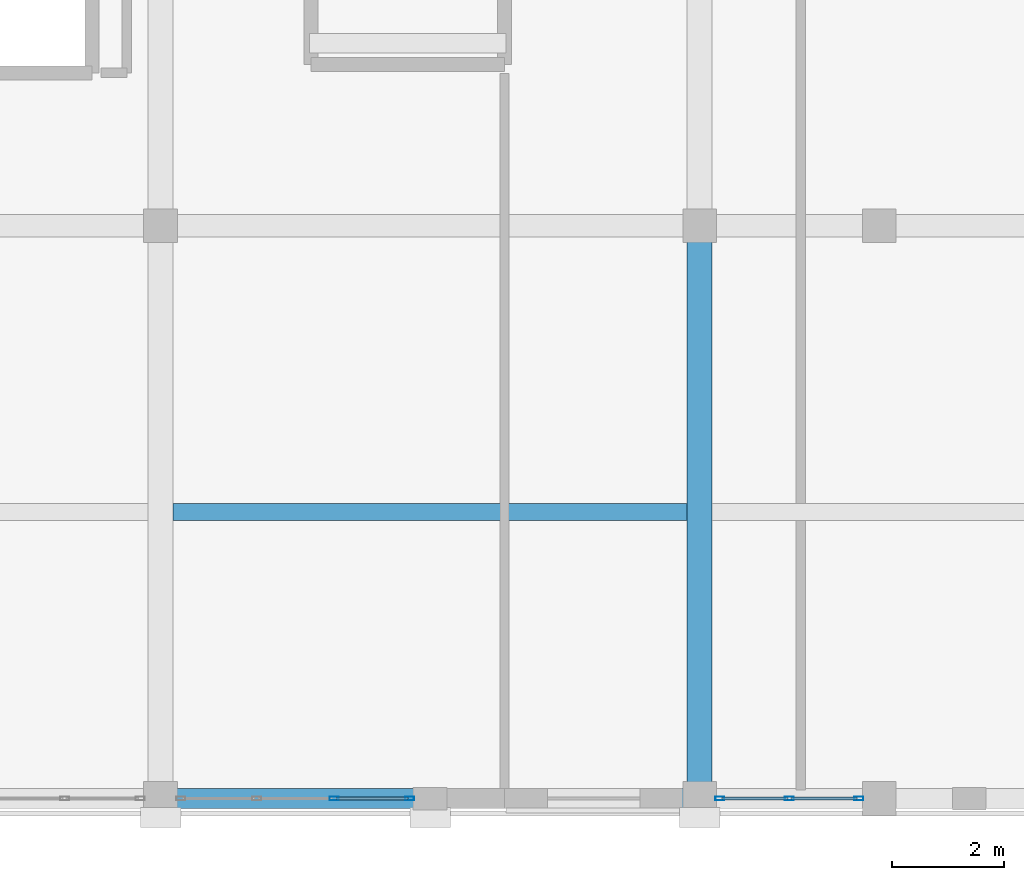
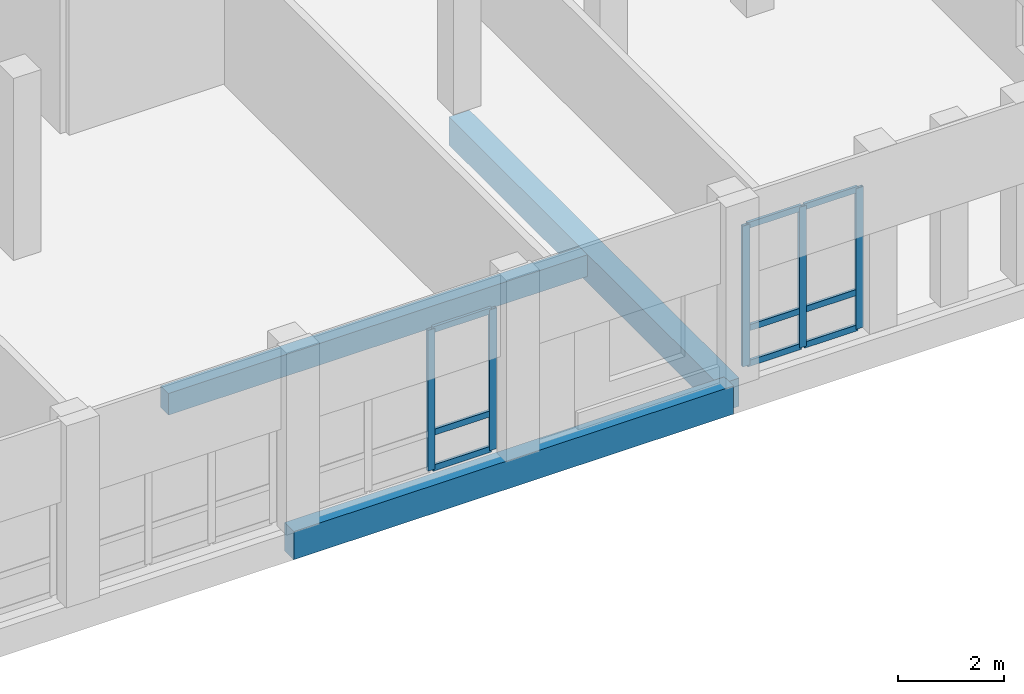
# One storey, part 14 of 93: 14 members, 3 beams, 2 elements without a shape of their own.
"""IFC4 building model written with IfcOpenShell, lengths in metres."""

from ifc_helpers import new_model, si_unit, direction, frame, origin, origin_2d, place, context, subcontext, project, spatial, rectangle, hollow_rectangle, extrude, material, material_profile, profile_set, type_object, element, aggregate, save


model = new_model("IFC4")

# Units and contexts
model_context = context("Model", 3, precision=1e-05, world=origin(), true_north=direction((0.0, 1.0)))
body_context = subcontext(model_context, "Body", "Model", "MODEL_VIEW")
ifc_project = project(units=[si_unit("LENGTHUNIT", "METRE"), si_unit("AREAUNIT", "SQUARE_METRE"), si_unit("VOLUMEUNIT", "CUBIC_METRE"), si_unit("PLANEANGLEUNIT", "RADIAN"), si_unit("MASSUNIT", "GRAM", prefix="KILO")], contexts=[model_context])

# Site, building, storey
site_placement = place(None, origin())
site = spatial("IfcSite", under=ifc_project, at=site_placement, CompositionType="ELEMENT")
building_placement = place(site_placement, origin())
building = spatial("IfcBuilding", under=site, at=building_placement, Name="Vondelvale Polytechnic", CompositionType="ELEMENT")
storey_placement = place(building_placement, frame((0.0, 0.0, 18.0)))
storey = spatial("IfcBuildingStorey", under=building, at=storey_placement, Name="L04", CompositionType="ELEMENT", Elevation=18.0)

# Beam
ifc_material_1 = material(Name="Concrete N40 (f'c = 40 MPa)", Category="concrete")
ifc_material_profile_1 = material_profile(ifc_material_1, rectangle(XDim=0.449951171875, YDim=0.64990234375, at=origin_2d()), Name="RC-BM-450x650")
ifc_profile_set_1 = profile_set([ifc_material_profile_1], Name="Concrete N40 (f'c = 40 MPa)")
beam_type_1 = type_object("IfcBeamType", Name="BM-RC450x650", PredefinedType="BEAM", material=ifc_profile_set_1)
beam_1_placement = place(storey_placement, frame((38.39990234375, 0.0, -0.574951171875), z_axis=(0.0, 1.0, 0.0), x_axis=(-1.0, 0.0, 0.0)))
element("IfcBeam", 1, at=beam_1_placement, inside=storey, type_object=beam_type_1, Name="L04 B B-04", PredefinedType="BEAM", context=body_context, shape_type="SweptSolid", body=[
    extrude(rectangle(XDim=0.449951171875, YDim=0.64990234375, at=origin_2d()), origin(), (0.0, 0.0, 1.0), 10.199951171875),
])

# Curtain wall, members
ifc_material_2 = material(Name="Anodised extruded aluminium 6063-T6", Category="aluminium")
curtain_wall_type = type_object("IfcCurtainWallType", Name="CW-LIBRARY-BAY", PredefinedType="NOTDEFINED", material=ifc_material_2)
curtain_wall_1_placement = place(storey_placement, origin())
curtain_wall_1 = element("IfcCurtainWall", 2, at=curtain_wall_1_placement, inside=storey, type_object=curtain_wall_type, Name="L04 architectural curtain wall CW-02-034", PredefinedType="NOTDEFINED")
ifc_material_profile_2 = material_profile(ifc_material_2, hollow_rectangle(XDim=0.06494140625, YDim=0.159912109375, WallThickness=0.0048828125, at=origin_2d()), Name="CW-MUL-160x65")
ifc_profile_set_2 = profile_set([ifc_material_profile_2], Name="Anodised extruded aluminium 6063-T6")
member_type_1 = type_object("IfcMemberType", Name="CW-MUL-65x160", PredefinedType="MULLION", material=ifc_profile_set_2)
member_1_placement = place(storey_placement, frame((31.889892578125, 0.0, 0.0), z_axis=(0.0, 0.0, 1.0), x_axis=(0.0, 1.0, 0.0)))
member_1 = element("IfcMember", 3, at=member_1_placement, type_object=member_type_1, Name="CW-02-034 mullion 3", PredefinedType="MULLION", context=body_context, shape_type="SweptSolid", body=[
    extrude(hollow_rectangle(XDim=0.06494140625, YDim=0.159912109375, WallThickness=0.0048828125, at=origin_2d()), origin(), (0.0, 0.0, 1.0), 3.25),
])
member_2_placement = place(storey_placement, frame((33.237548828125, 0.0, 0.0), z_axis=(0.0, 0.0, 1.0), x_axis=(0.0, 1.0, 0.0)))
member_2 = element("IfcMember", 4, at=member_2_placement, type_object=member_type_1, Name="CW-02-034 mullion 4", PredefinedType="MULLION", context=body_context, shape_type="SweptSolid", body=[
    extrude(hollow_rectangle(XDim=0.06494140625, YDim=0.159912109375, WallThickness=0.0048828125, at=origin_2d()), origin(), (0.0, 0.0, 1.0), 3.25),
])

curtain_wall_2_placement = place(storey_placement, origin())
curtain_wall_2 = element("IfcCurtainWall", 5, at=curtain_wall_2_placement, inside=storey, type_object=curtain_wall_type, Name="L04 architectural curtain wall CW-02-035", PredefinedType="NOTDEFINED")
member_3_placement = place(storey_placement, frame((38.762451171875, 0.0, 0.0), z_axis=(0.0, 0.0, 1.0), x_axis=(0.0, 1.0, 0.0)))
member_3 = element("IfcMember", 6, at=member_3_placement, type_object=member_type_1, Name="CW-02-035 mullion 1", PredefinedType="MULLION", context=body_context, shape_type="SweptSolid", body=[
    extrude(hollow_rectangle(XDim=0.06494140625, YDim=0.159912109375, WallThickness=0.0048828125, at=origin_2d()), origin(), (0.0, 0.0, 1.0), 3.25),
])
member_4_placement = place(storey_placement, frame((40.0, 0.0, 0.0), z_axis=(0.0, 0.0, 1.0), x_axis=(0.0, 1.0, 0.0)))
member_4 = element("IfcMember", 7, at=member_4_placement, type_object=member_type_1, Name="CW-02-035 mullion 2", PredefinedType="MULLION", context=body_context, shape_type="SweptSolid", body=[
    extrude(hollow_rectangle(XDim=0.06494140625, YDim=0.159912109375, WallThickness=0.0048828125, at=origin_2d()), origin(), (0.0, 0.0, 1.0), 3.25),
])
member_5_placement = place(storey_placement, frame((41.237548828125, 0.0, 0.0), z_axis=(0.0, 0.0, 1.0), x_axis=(0.0, 1.0, 0.0)))
member_5 = element("IfcMember", 8, at=member_5_placement, type_object=member_type_1, Name="CW-02-035 mullion 3", PredefinedType="MULLION", context=body_context, shape_type="SweptSolid", body=[
    extrude(hollow_rectangle(XDim=0.06494140625, YDim=0.159912109375, WallThickness=0.0048828125, at=origin_2d()), origin(), (0.0, 0.0, 1.0), 3.25),
])

# Member
ifc_material_profile_3 = material_profile(ifc_material_2, hollow_rectangle(XDim=0.06005859375, YDim=0.139892578125, WallThickness=0.00341796875, at=origin_2d()), Name="CW-TRN-140x60")
ifc_profile_set_3 = profile_set([ifc_material_profile_3], Name="Anodised extruded aluminium 6063-T6")
member_type_2 = type_object("IfcMemberType", Name="CW-TRN-60x140", PredefinedType="USERDEFINED", material=ifc_profile_set_3)
member_6_placement = place(storey_placement, frame((31.922607421875, 0.0, 0.030029296875), z_axis=(1.0, 0.0, 0.0), x_axis=(0.0, 1.0, 0.0)))
member_6 = element("IfcMember", 9, at=member_6_placement, type_object=member_type_2, Name="CW-02-034 transom 3.1", ObjectType="TRANSOM", PredefinedType="USERDEFINED", context=body_context, shape_type="SweptSolid", body=[
    extrude(hollow_rectangle(XDim=0.06005859375, YDim=0.139892578125, WallThickness=0.00341796875, at=origin_2d()), origin(), (0.0, 0.0, 1.0), 1.282470703125),
])

member_7_placement = place(storey_placement, frame((31.922607421875, 0.0, 0.85009765625), z_axis=(1.0, 0.0, 0.0), x_axis=(0.0, 1.0, 0.0)))
member_7 = element("IfcMember", 10, at=member_7_placement, type_object=member_type_2, Name="CW-02-034 transom 3.2", ObjectType="TRANSOM", PredefinedType="USERDEFINED", context=body_context, shape_type="SweptSolid", body=[
    extrude(hollow_rectangle(XDim=0.06005859375, YDim=0.139892578125, WallThickness=0.00341796875, at=origin_2d()), origin(), (0.0, 0.0, 1.0), 1.282470703125),
])

member_8_placement = place(storey_placement, frame((31.922607421875, 0.0, 3.219970703125), z_axis=(1.0, 0.0, 0.0), x_axis=(0.0, 1.0, 0.0)))
member_8 = element("IfcMember", 11, at=member_8_placement, type_object=member_type_2, Name="CW-02-034 transom 3.3", ObjectType="TRANSOM", PredefinedType="USERDEFINED", context=body_context, shape_type="SweptSolid", body=[
    extrude(hollow_rectangle(XDim=0.06005859375, YDim=0.139892578125, WallThickness=0.00341796875, at=origin_2d()), origin(), (0.0, 0.0, 1.0), 1.282470703125),
])

aggregate(curtain_wall_1, [member_1, member_2, member_6, member_7, member_8])

member_9_placement = place(storey_placement, frame((38.794921875, 0.0, 0.030029296875), z_axis=(1.0, 0.0, 0.0), x_axis=(0.0, 1.0, 0.0)))
member_9 = element("IfcMember", 12, at=member_9_placement, type_object=member_type_2, Name="CW-02-035 transom 1.1", ObjectType="TRANSOM", PredefinedType="USERDEFINED", context=body_context, shape_type="SweptSolid", body=[
    extrude(hollow_rectangle(XDim=0.06005859375, YDim=0.139892578125, WallThickness=0.00341796875, at=origin_2d()), origin(), (0.0, 0.0, 1.0), 1.172607421875),
])

member_10_placement = place(storey_placement, frame((38.794921875, 0.0, 0.85009765625), z_axis=(1.0, 0.0, 0.0), x_axis=(0.0, 1.0, 0.0)))
member_10 = element("IfcMember", 13, at=member_10_placement, type_object=member_type_2, Name="CW-02-035 transom 1.2", ObjectType="TRANSOM", PredefinedType="USERDEFINED", context=body_context, shape_type="SweptSolid", body=[
    extrude(hollow_rectangle(XDim=0.06005859375, YDim=0.139892578125, WallThickness=0.00341796875, at=origin_2d()), origin(), (0.0, 0.0, 1.0), 1.172607421875),
])

member_11_placement = place(storey_placement, frame((38.794921875, 0.0, 3.219970703125), z_axis=(1.0, 0.0, 0.0), x_axis=(0.0, 1.0, 0.0)))
member_11 = element("IfcMember", 14, at=member_11_placement, type_object=member_type_2, Name="CW-02-035 transom 1.3", ObjectType="TRANSOM", PredefinedType="USERDEFINED", context=body_context, shape_type="SweptSolid", body=[
    extrude(hollow_rectangle(XDim=0.06005859375, YDim=0.139892578125, WallThickness=0.00341796875, at=origin_2d()), origin(), (0.0, 0.0, 1.0), 1.172607421875),
])

member_12_placement = place(storey_placement, frame((40.032470703125, 0.0, 0.030029296875), z_axis=(1.0, 0.0, 0.0), x_axis=(0.0, 1.0, 0.0)))
member_12 = element("IfcMember", 15, at=member_12_placement, type_object=member_type_2, Name="CW-02-035 transom 2.1", ObjectType="TRANSOM", PredefinedType="USERDEFINED", context=body_context, shape_type="SweptSolid", body=[
    extrude(hollow_rectangle(XDim=0.06005859375, YDim=0.139892578125, WallThickness=0.00341796875, at=origin_2d()), origin(), (0.0, 0.0, 1.0), 1.172607421875),
])

member_13_placement = place(storey_placement, frame((40.032470703125, 0.0, 0.85009765625), z_axis=(1.0, 0.0, 0.0), x_axis=(0.0, 1.0, 0.0)))
member_13 = element("IfcMember", 16, at=member_13_placement, type_object=member_type_2, Name="CW-02-035 transom 2.2", ObjectType="TRANSOM", PredefinedType="USERDEFINED", context=body_context, shape_type="SweptSolid", body=[
    extrude(hollow_rectangle(XDim=0.06005859375, YDim=0.139892578125, WallThickness=0.00341796875, at=origin_2d()), origin(), (0.0, 0.0, 1.0), 1.172607421875),
])

member_14_placement = place(storey_placement, frame((40.032470703125, 0.0, 3.219970703125), z_axis=(1.0, 0.0, 0.0), x_axis=(0.0, 1.0, 0.0)))
member_14 = element("IfcMember", 17, at=member_14_placement, type_object=member_type_2, Name="CW-02-035 transom 2.3", ObjectType="TRANSOM", PredefinedType="USERDEFINED", context=body_context, shape_type="SweptSolid", body=[
    extrude(hollow_rectangle(XDim=0.06005859375, YDim=0.139892578125, WallThickness=0.00341796875, at=origin_2d()), origin(), (0.0, 0.0, 1.0), 1.172607421875),
])

aggregate(curtain_wall_2, [member_3, member_4, member_5, member_9, member_10, member_11, member_12, member_13, member_14])

# Beams
ifc_material_profile_4 = material_profile(ifc_material_1, rectangle(XDim=0.300048828125, YDim=0.5, at=origin_2d()), Name="RC-JST-300x500")
ifc_profile_set_4 = profile_set([ifc_material_profile_4], Name="Concrete N40 (f'c = 40 MPa)")
beam_type_2 = type_object("IfcBeamType", Name="JST-RC300x500", PredefinedType="JOIST", material=ifc_profile_set_4)
beam_2_placement = place(storey_placement, frame((29.02490234375, 5.10009765625, -0.5), z_axis=(1.0, 0.0, 0.0), x_axis=(0.0, 1.0, 0.0)))
element("IfcBeam", 18, at=beam_2_placement, inside=storey, type_object=beam_type_2, Name="L04 J J-02", PredefinedType="JOIST", context=body_context, shape_type="SweptSolid", body=[
    extrude(rectangle(XDim=0.300048828125, YDim=0.5, at=origin_2d()), origin(), (0.0, 0.0, 1.0), 9.150146484375),
])
ifc_material_3 = material(Name="Precast concrete N40 (f'c = 40 MPa)", Category="concrete")
ifc_material_profile_5 = material_profile(ifc_material_3, rectangle(XDim=0.35009765625, YDim=0.64990234375, at=origin_2d()), Name="RC-SPN-350x650")
ifc_profile_set_5 = profile_set([ifc_material_profile_5], Name="Precast concrete N40 (f'c = 40 MPa)")
beam_type_3 = type_object("IfcBeamType", Name="SPN-PRE350x650", PredefinedType="SPANDREL", material=ifc_profile_set_5)
beam_3_placement = place(storey_placement, frame((28.800048828125, 0.0, -0.574951171875), z_axis=(1.0, 0.0, 0.0), x_axis=(0.0, 1.0, 0.0)))
element("IfcBeam", 19, at=beam_3_placement, inside=storey, type_object=beam_type_3, Name="L04 B SP-02", PredefinedType="SPANDREL", context=body_context, shape_type="SweptSolid", body=[
    extrude(rectangle(XDim=0.35009765625, YDim=0.64990234375, at=origin_2d()), origin(), (0.0, 0.0, 1.0), 9.599853515625),
])

save(model, "model.ifc")
